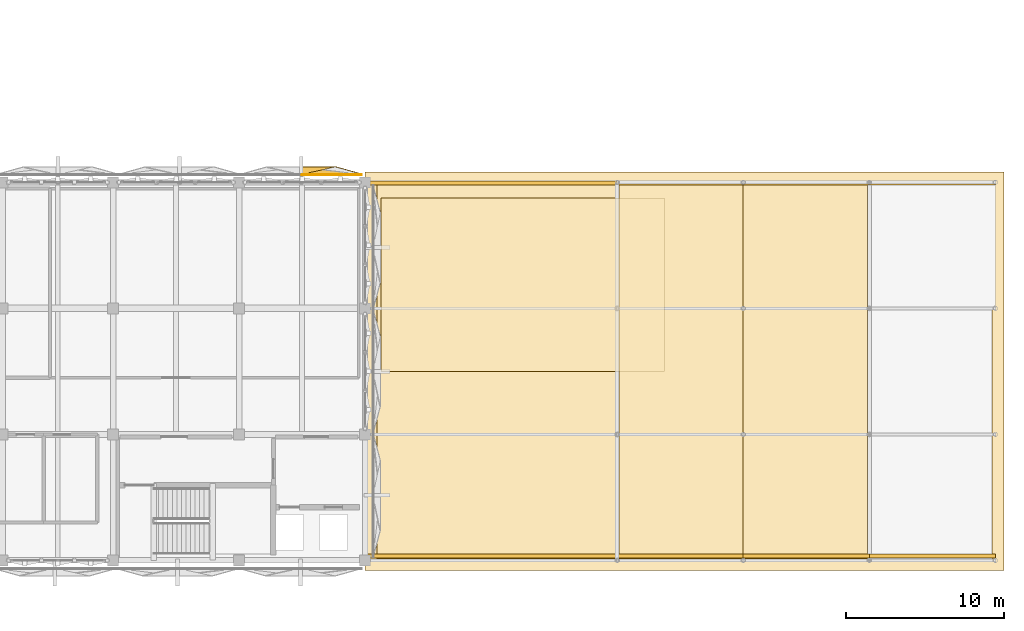
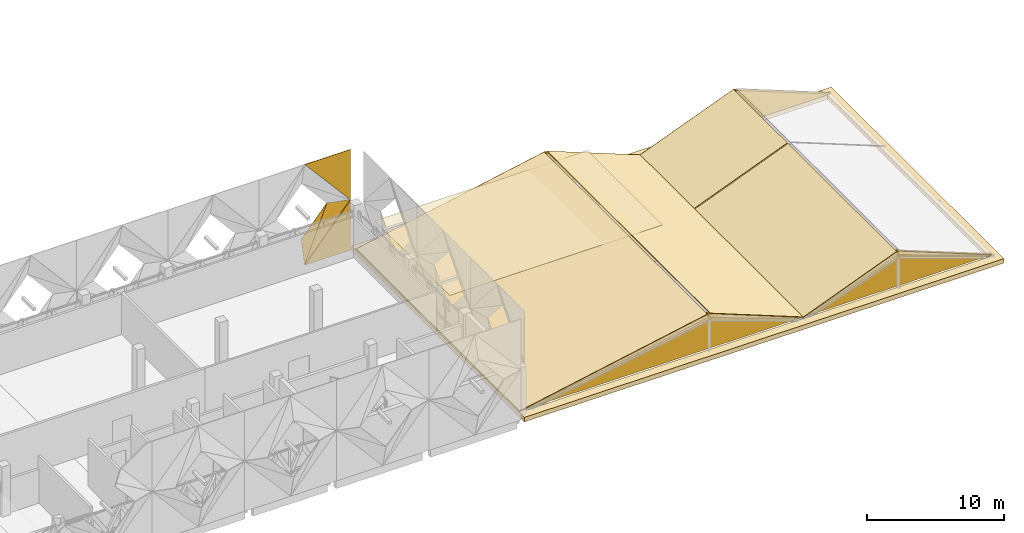
# One storey, part 34 of 37: 15 coverings.
"""IFC4 building model written with IfcOpenShell, lengths in metres."""

import ifcopenshell
import ifcopenshell.guid

model = None  # the IFC model being written
_history = None  # IfcOwnerHistory: only IFC2X3 demands one
_inside = {}  # id of a spatial element -> (the spatial element, [elements in it])
_under = {}  # id of a project, library or spatial element -> (it, [spatial elements below it])
_declared = {}  # id of a project -> (the project, [libraries it declares])
_typed = {}  # id of a type object -> (the type object, [elements of that type])
_made_of = {}  # id of a material, layer set ... -> (it, [elements and type objects made of it])


def new_model(schema):
    """Start an empty IFC model of exactly this schema.

    Asked for "IFC4X3", IfcOpenShell would pick the latest addendum, in which some entities
    have other attributes; the version numbers below select the first issue.
    IFC2X3 requires an IfcOwnerHistory on every rooted entity: one is made here for all.
    """
    global model, _history
    if schema == "IFC4X3":
        model = ifcopenshell.file(schema_version=(4, 3, 0, 0))
    else:
        model = ifcopenshell.file(schema=schema)
    _inside.clear()
    _under.clear()
    _declared.clear()
    _typed.clear()
    _made_of.clear()
    _history = None
    if model.schema == "IFC2X3":
        org = make("IfcOrganization", Name="unknown")
        user = make(
            "IfcPersonAndOrganization",
            ThePerson=make("IfcPerson", FamilyName="unknown"),
            TheOrganization=org,
        )
        app = make(
            "IfcApplication",
            ApplicationDeveloper=org,
            Version="unknown",
            ApplicationFullName="unknown",
            ApplicationIdentifier="unknown",
        )
        _history = make(
            "IfcOwnerHistory",
            OwningUser=user,
            OwningApplication=app,
            ChangeAction="ADDED",
            CreationDate=0,
        )
    return model


def make(cls, **values):
    """One entity of the class cls with the attributes given. An attribute that is None is left unset."""
    return model.create_entity(
        cls, **{name: value for name, value in values.items() if value is not None}
    )


def rooted(cls, **values):
    """An entity with a GlobalId (a new one), such as an element, a storey or a relation."""
    return make(cls, GlobalId=ifcopenshell.guid.new(), OwnerHistory=_history, **values)


def si_unit(unit_type, name, prefix=None):
    """IfcSIUnit, for example si_unit("LENGTHUNIT", "METRE", prefix="MILLI")."""
    return make("IfcSIUnit", UnitType=unit_type, Prefix=prefix, Name=name)


def assignment(units):
    """IfcUnitAssignment: the units of a project."""
    return None if units is None else make("IfcUnitAssignment", Units=units)


def point(xyz):
    """IfcCartesianPoint."""
    return None if xyz is None else make("IfcCartesianPoint", Coordinates=xyz)


def direction(xyz):
    """IfcDirection."""
    return None if xyz is None else make("IfcDirection", DirectionRatios=xyz)


def frame(location, z_axis=None, x_axis=None):
    """IfcAxis2Placement3D, a coordinate frame: its origin and axes. An axis left out is left unset."""
    return make(
        "IfcAxis2Placement3D",
        Location=point(location),
        Axis=direction(z_axis),
        RefDirection=direction(x_axis),
    )


def origin():
    """The frame at (0, 0, 0) with its axes left unset."""
    return frame((0.0, 0.0, 0.0))


def place(relative_to, where):
    """IfcLocalPlacement: puts the frame where relative to a parent placement (None: the world)."""
    return make(
        "IfcLocalPlacement", PlacementRelTo=relative_to, RelativePlacement=where
    )


def context(
    kind, dimensions, precision=None, world=None, true_north=None, identifier=None
):
    """IfcGeometricRepresentationContext, for example the 3D "Model" context."""
    return make(
        "IfcGeometricRepresentationContext",
        ContextIdentifier=identifier,
        ContextType=kind,
        CoordinateSpaceDimension=dimensions,
        Precision=precision,
        WorldCoordinateSystem=world,
        TrueNorth=true_north,
    )


def subcontext(parent, identifier, kind, view, scale=None):
    """IfcGeometricRepresentationSubContext, for example "Body" below "Model"."""
    return make(
        "IfcGeometricRepresentationSubContext",
        ContextIdentifier=identifier,
        ContextType=kind,
        ParentContext=parent,
        TargetScale=scale,
        TargetView=view,
    )


def project(units=None, contexts=None):
    """IfcProject with its units and contexts."""
    return rooted(
        "IfcProject",
        Name="project",
        RepresentationContexts=contexts,
        UnitsInContext=assignment(units),
    )


def spatial(cls, under=None, at=None, **own):
    """A site, building, storey or space (cls), placed at a placement, below another one or the project."""
    s = rooted(cls, ObjectPlacement=at, **own)
    if under is not None:
        _under.setdefault(under.id(), (under, []))[1].append(s)
    return s


def polyline(points):
    """IfcPolyline through the points."""
    return make("IfcPolyline", Points=[point(p) for p in points])


def outline(outer, holes=None, kind="AREA"):
    """IfcArbitraryClosedProfileDef: a profile drawn as a closed curve; with holes, ...WithVoids."""
    if holes is None:
        return make("IfcArbitraryClosedProfileDef", ProfileType=kind, OuterCurve=outer)
    return make(
        "IfcArbitraryProfileDefWithVoids",
        ProfileType=kind,
        OuterCurve=outer,
        InnerCurves=holes,
    )


def extrude(swept, where, along, depth):
    """IfcExtrudedAreaSolid: the profile swept, set in the frame where, extruded along a direction by depth."""
    return make(
        "IfcExtrudedAreaSolid",
        SweptArea=swept,
        Position=where,
        ExtrudedDirection=direction(along),
        Depth=depth,
    )


def shape(context_of_items, identifier, shape_type, items):
    """IfcShapeRepresentation: the items that make up one representation, for example the "Body"."""
    return make(
        "IfcShapeRepresentation",
        ContextOfItems=context_of_items,
        RepresentationIdentifier=identifier,
        RepresentationType=shape_type,
        Items=items,
    )


def material(Name=None, Category=None):
    """IfcMaterial."""
    return make("IfcMaterial", Name=Name, Category=Category)


def layer(
    of_material, thickness, ventilated=None, Name=None, Category=None, Priority=None
):
    """IfcMaterialLayer: one layer of a wall or slab, of a material (None: an air gap)."""
    return make(
        "IfcMaterialLayer",
        Material=of_material,
        LayerThickness=thickness,
        IsVentilated=ventilated,
        Name=Name,
        Category=Category,
        Priority=Priority,
    )


def layer_set(layers, Name=None):
    """IfcMaterialLayerSet."""
    return make("IfcMaterialLayerSet", MaterialLayers=layers, LayerSetName=Name)


def made_of(thing, what):
    """Note that an element or type object is made of a material, layer set ...; save() writes the relation."""
    if what is not None:
        _made_of.setdefault(what.id(), (what, []))[1].append(thing)
    return thing


def type_object(cls, material=None, **own):
    """A type object (cls), such as IfcWallType, which elements share."""
    return made_of(rooted(cls, **own), material)


def element(
    cls,
    number,
    at=None,
    inside=None,
    cuts=None,
    type_object=None,
    material=None,
    context=None,
    identifier="Body",
    shape_type=None,
    held_by="IfcProductDefinitionShape",
    body=None,
    shapes=None,
    **own,
):
    """One element of the class cls, such as IfcWall. Its Tag is "e" and its number.

    at: its placement. inside: the storey or other place that contains it. cuts: it is an
    opening in that element (IfcRelVoidsElement). A single representation is given by context,
    identifier, shape_type and body (its items); several are given by shapes. held_by: the class
    of the entity that holds the representations. save() writes the other relations.
    """
    e = rooted(cls, Tag="e%d" % number, ObjectPlacement=at, **own)
    if body is not None:
        shapes = [shape(context, identifier, shape_type, body)]
    if shapes is not None:
        e.Representation = make(held_by, Representations=shapes)
    if inside is not None:
        _inside.setdefault(inside.id(), (inside, []))[1].append(e)
    if cuts is not None:
        rooted(
            "IfcRelVoidsElement", RelatingBuildingElement=cuts, RelatedOpeningElement=e
        )
    if type_object is not None:
        _typed.setdefault(type_object.id(), (type_object, []))[1].append(e)
    return made_of(e, material)


def aggregate(whole, parts):
    """IfcRelAggregates: a whole, such as a stair, and the parts it consists of."""
    return rooted("IfcRelAggregates", RelatingObject=whole, RelatedObjects=parts)


def save(model, path):
    """Write the relations noted so far, then the file.

    IfcRelAggregates (storeys below a building ...), IfcRelContainedInSpatialStructure (elements
    in a storey), IfcRelDefinesByType, IfcRelAssociatesMaterial and IfcRelDeclares: one each for
    every whole, place, type object, material and project.
    """
    for whole, parts in _under.values():
        aggregate(whole, parts)
    for where, things in _inside.values():
        rooted(
            "IfcRelContainedInSpatialStructure",
            RelatedElements=things,
            RelatingStructure=where,
        )
    for kind, things in _typed.values():
        rooted("IfcRelDefinesByType", RelatedObjects=things, RelatingType=kind)
    for what, things in _made_of.values():
        rooted("IfcRelAssociatesMaterial", RelatedObjects=things, RelatingMaterial=what)
    for by, libraries in _declared.values():
        rooted("IfcRelDeclares", RelatingContext=by, RelatedDefinitions=libraries)
    model.write(path)


model = new_model("IFC4")

# Units and contexts
model_context = context("Model", 3, precision=1e-05, world=origin(), true_north=direction((0.0, 1.0)))
body_context = subcontext(model_context, "Body", "Model", "MODEL_VIEW")
ifc_project = project(units=[si_unit("LENGTHUNIT", "METRE"), si_unit("AREAUNIT", "SQUARE_METRE"), si_unit("VOLUMEUNIT", "CUBIC_METRE"), si_unit("PLANEANGLEUNIT", "RADIAN"), si_unit("MASSUNIT", "GRAM", prefix="KILO")], contexts=[model_context])

# Site, building, storey
site_placement = place(None, origin())
site = spatial("IfcSite", under=ifc_project, at=site_placement, CompositionType="ELEMENT")
building_placement = place(site_placement, origin())
building = spatial("IfcBuilding", under=site, at=building_placement, Name="Qorikala Patio Media Centre", CompositionType="ELEMENT")
storey_placement = place(building_placement, frame((0.0, 0.0, 14.39990234375)))
storey = spatial("IfcBuildingStorey", under=building, at=storey_placement, Name="L03", CompositionType="ELEMENT", Elevation=14.39990234375)

# Coverings
ifc_material_1 = material(Name="Perforated Andean Timber Acoustic Ceiling", Category="wood")
ifc_layer_1 = layer(ifc_material_1, 0.0400390625)
ifc_layer_set_1 = layer_set([ifc_layer_1], Name="Perforated Andean Timber Acoustic Ceiling")
covering_type_1 = type_object("IfcCoveringType", Name="COV-CEIL-AC", PredefinedType="CEILING", material=ifc_layer_set_1)
covering_1_placement = place(storey_placement, frame((0.0, 0.0, 3.050048828125)))
element("IfcCovering", 1, at=covering_1_placement, inside=storey, type_object=covering_type_1, Name="L03 Acoustic Timber Ceiling 08", PredefinedType="CEILING", context=body_context, shape_type="SweptSolid", body=[
    extrude(outline(polyline([(99.0, 15.0), (117.0, 15.0), (117.0, 26.0), (99.0, 26.0), (99.0, 15.0)])), origin(), (0.0, 0.0, 1.0), 0.0400390625),
])
ifc_material_2 = material(Name="Golden Bronze Anodised Aluminium Panel", Category="aluminium")
ifc_layer_2 = layer(ifc_material_2, 0.044921875)
ifc_layer_set_2 = layer_set([ifc_layer_2], Name="Golden Bronze Anodised Aluminium Panel")
covering_type_2 = type_object("IfcCoveringType", Name="COV-CLAD-GOLD", PredefinedType="CLADDING", material=ifc_layer_set_2)
covering_2_placement = place(storey_placement, frame((93.93994140625, 27.5, 0.0), z_axis=(-0.262462378719, -0.93830974756, 0.225140661346), x_axis=(0.651079578851, 0.0, 0.759009474251)))
element("IfcCovering", 2, at=covering_2_placement, inside=storey, type_object=covering_type_2, Name="Golden Folded Diamond Facet N-2.5.BRA", PredefinedType="CLADDING", context=body_context, shape_type="SweptSolid", body=[
    extrude(outline(polyline([(0.0, 0.0), (5.928779748684755, 0.0), (4.822929985484664, 1.373924994689336), (0.0, 0.0)])), origin(), (0.0, 0.0, -1.0), 0.044921875),
])
covering_3_placement = place(storey_placement, frame((93.93994140625, 27.5, 0.0), z_axis=(-0.262476283203, -0.938304391158, 0.225146774993), x_axis=(0.431047420192, 0.094738906674, 0.897341997851)))
element("IfcCovering", 3, at=covering_3_placement, inside=storey, type_object=covering_type_2, Name="Golden Folded Diamond Facet N-2.5.BRB", PredefinedType="CLADDING", context=body_context, shape_type="SweptSolid", body=[
    extrude(outline(polyline([(0.0, 0.0), (5.014810418741589, 0.0), (1.8217298620516404, 0.9095827336284614), (0.0, 0.0)])), origin(), (0.0, 0.0, -1.0), 0.044921875),
])
covering_4_placement = place(storey_placement, frame((97.800048828125, 27.5, 9.0), z_axis=(0.0, 1.0, 0.0), x_axis=(0.0, 0.0, -1.0)))
element("IfcCovering", 4, at=covering_4_placement, inside=storey, type_object=covering_type_2, Name="Golden Diamond Valley Spandrel N-2.5.CTR", PredefinedType="CLADDING", context=body_context, shape_type="SweptSolid", body=[
    extrude(outline(polyline([(0.0, 0.0), (4.5, 0.0), (0.0, 3.860107421875), (0.0, 0.0)])), origin(), (0.0, 0.0, -1.0), 0.044921875),
])
covering_5_placement = place(storey_placement, frame((97.800048828125, 27.5, 0.0), z_axis=(0.0, 1.0, 0.0), x_axis=(-1.0, 0.0, 0.0)))
element("IfcCovering", 5, at=covering_5_placement, inside=storey, type_object=covering_type_2, Name="Golden Diamond Valley Spandrel N-2.5.CBR", PredefinedType="CLADDING", context=body_context, shape_type="SweptSolid", body=[
    extrude(outline(polyline([(0.0, 0.0), (3.860107421875, 0.0), (0.0, 4.5), (0.0, 0.0)])), origin(), (0.0, 0.0, -1.0), 0.044921875),
])
ifc_material_3 = material(Name="Comanche Granite Ashlar Stone", Category="masonry")
ifc_layer_3 = layer(ifc_material_3, 0.06005859375)
ifc_layer_set_3 = layer_set([ifc_layer_3], Name="Comanche Granite Ashlar Stone")
covering_type_3 = type_object("IfcCoveringType", Name="COV-CLAD-STONE", PredefinedType="CLADDING", material=ifc_layer_set_3)
for number, where, z_axis, x_axis, name in (
    (6, (98.0, 3.159912109375, 0.25), (0.0, -1.0, 0.0), (1.0, 0.0, 0.0), "L03 Colonial Gable Tympanum Cladding GW-V7A1-S"),
    (7, (98.0, 26.840087890625, 0.25), (0.0, -1.0, 0.0), (1.0, 0.0, 0.0), "L03 Colonial Gable Tympanum Cladding GW-V7A1-N"),
):
    element("IfcCovering", number, at=place(storey_placement, frame(where, z_axis=z_axis, x_axis=x_axis)), inside=storey, type_object=covering_type_3, Name=name, PredefinedType="CLADDING", context=body_context, shape_type="SweptSolid", body=[
        extrude(outline(polyline([(0.0, 0.0), (24.0, 0.0), (16.0, 3.130126953125), (0.0, 0.0)])), origin(), (0.0, 0.0, -1.0), 0.239990234375),
    ])
for number, where, z_axis, x_axis, name in (
    (8, (122.0, 3.159912109375, 0.25), (0.0, -1.0, 0.0), (1.0, 0.0, 0.0), "L03 Colonial Gable Tympanum Cladding GW-V7A2-S"),
    (9, (122.0, 26.840087890625, 0.25), (0.0, -1.0, 0.0), (1.0, 0.0, 0.0), "L03 Colonial Gable Tympanum Cladding GW-V7A3-N"),
):
    element("IfcCovering", number, at=place(storey_placement, frame(where, z_axis=z_axis, x_axis=x_axis)), inside=storey, type_object=covering_type_3, Name=name, PredefinedType="CLADDING", context=body_context, shape_type="SweptSolid", body=[
        extrude(outline(polyline([(0.0, 0.0), (16.0, 0.0), (8.0, 3.130126953125), (0.0, 0.0)])), origin(), (0.0, 0.0, -1.0), 0.239990234375),
    ])
covering_6_placement = place(storey_placement, frame((0.0, 0.0, -0.199951171875)))
element("IfcCovering", 10, at=covering_6_placement, inside=storey, type_object=covering_type_3, Name="Classical Moulded Stone Cornice CORN-V7A-TOP", PredefinedType="CLADDING", context=body_context, shape_type="SweptSolid", body=[
    extrude(outline(polyline([(98.0, 2.35009765625), (138.550048828125, 2.35009765625), (138.550048828125, 27.64990234375), (98.0, 27.64990234375), (98.0, 2.35009765625)]), holes=[polyline([(98.75, 3.10009765625), (137.800048828125, 3.10009765625), (137.800048828125, 26.89990234375), (98.75, 26.89990234375), (98.75, 3.10009765625)])]), origin(), (0.0, 0.0, 1.0), 0.400146484375),
])
ifc_material_4 = material(Name="Honed Comanche Granite Flooring", Category="masonry")
ifc_layer_4 = layer(ifc_material_4, 0.034912109375)
ifc_layer_set_4 = layer_set([ifc_layer_4], Name="Honed Comanche Granite Flooring")
covering_type_4 = type_object("IfcCoveringType", Name="COV-FLOR-STONE", PredefinedType="FLOORING", material=ifc_layer_set_4)
covering_7_placement = place(storey_placement, origin())
element("IfcCovering", 11, at=covering_7_placement, inside=storey, type_object=covering_type_4, Name="L03 Honed Comanche Granite Flooring 08", PredefinedType="FLOORING", context=body_context, shape_type="SweptSolid", body=[
    extrude(outline(polyline([(99.0, 15.0), (117.0, 15.0), (117.0, 26.0), (99.0, 26.0), (99.0, 15.0)])), origin(), (0.0, 0.0, 1.0), 0.03515625),
])
ifc_material_5 = material(Name="Spanish Terracotta Clay Tile", Category="masonry")
ifc_layer_5 = layer(ifc_material_5, 0.054931640625)
ifc_layer_set_5 = layer_set([ifc_layer_5], Name="Spanish Terracotta Clay Tile")
covering_type_5 = type_object("IfcCoveringType", Name="COV-ROOF-TILE", PredefinedType="ROOFING", material=ifc_layer_set_5)
covering_8_placement = place(storey_placement, frame((98.0, 3.050048828125, 0.360107421875), z_axis=(-0.19160466486, 0.0, 0.981472186261), x_axis=(0.981472186261, 0.0, 0.19160466486)))
element("IfcCovering", 12, at=covering_8_placement, inside=storey, type_object=covering_type_5, Name="RF-V7A1 Terracotta Clay-Tile Roof W", PredefinedType="ROOFING", context=body_context, shape_type="SweptSolid", body=[
    extrude(outline(polyline([(0.0, 0.0), (16.17965647401142, 0.0), (16.17965647401142, 23.89990234375), (0.0, 23.89990234375), (0.0, 0.0)])), origin(), (0.0, 0.0, -1.0), 0.054931640625),
])
covering_9_placement = place(storey_placement, frame((114.1201171875, 3.050048828125, 3.460205078125), z_axis=(0.366105481265, 0.0, 0.930573359058), x_axis=(0.930573359058, 0.0, -0.366105481265)))
element("IfcCovering", 13, at=covering_9_placement, inside=storey, type_object=covering_type_5, Name="RF-V7A1 Terracotta Clay-Tile Roof E", PredefinedType="ROOFING", context=body_context, shape_type="SweptSolid", body=[
    extrude(outline(polyline([(0.0, 0.0), (8.467771762218185, 0.0), (8.467771762218185, 23.89990234375), (0.0, 23.89990234375), (0.0, 0.0)])), origin(), (0.0, 0.0, -1.0), 0.054931640625),
])
covering_10_placement = place(storey_placement, frame((122.0, 3.050048828125, 0.360107421875), z_axis=(-0.366105481265, 0.0, 0.930573359058), x_axis=(0.930573359058, 0.0, 0.366105481265)))
element("IfcCovering", 14, at=covering_10_placement, inside=storey, type_object=covering_type_5, Name="RF-V7A2 Terracotta Clay-Tile Roof W", PredefinedType="ROOFING", context=body_context, shape_type="SweptSolid", body=[
    extrude(outline(polyline([(0.0, 0.0), (8.467771762218185, 0.0), (8.467771762218185, 15.89990234375), (0.0, 15.89990234375), (0.0, 0.0)])), origin(), (0.0, 0.0, -1.0), 0.054931640625),
])
covering_11_placement = place(storey_placement, frame((122.0, 19.050048828125, 0.360107421875), z_axis=(-0.366105481265, 0.0, 0.930573359058), x_axis=(0.930573359058, 0.0, 0.366105481265)))
element("IfcCovering", 15, at=covering_11_placement, inside=storey, type_object=covering_type_5, Name="RF-V7A3 Terracotta Clay-Tile Roof W", PredefinedType="ROOFING", context=body_context, shape_type="SweptSolid", body=[
    extrude(outline(polyline([(0.0, 0.0), (8.467771762218185, 0.0), (8.467771762218185, 7.89990234375), (0.0, 7.89990234375), (0.0, 0.0)])), origin(), (0.0, 0.0, -1.0), 0.054931640625),
])

save(model, "model.ifc")
